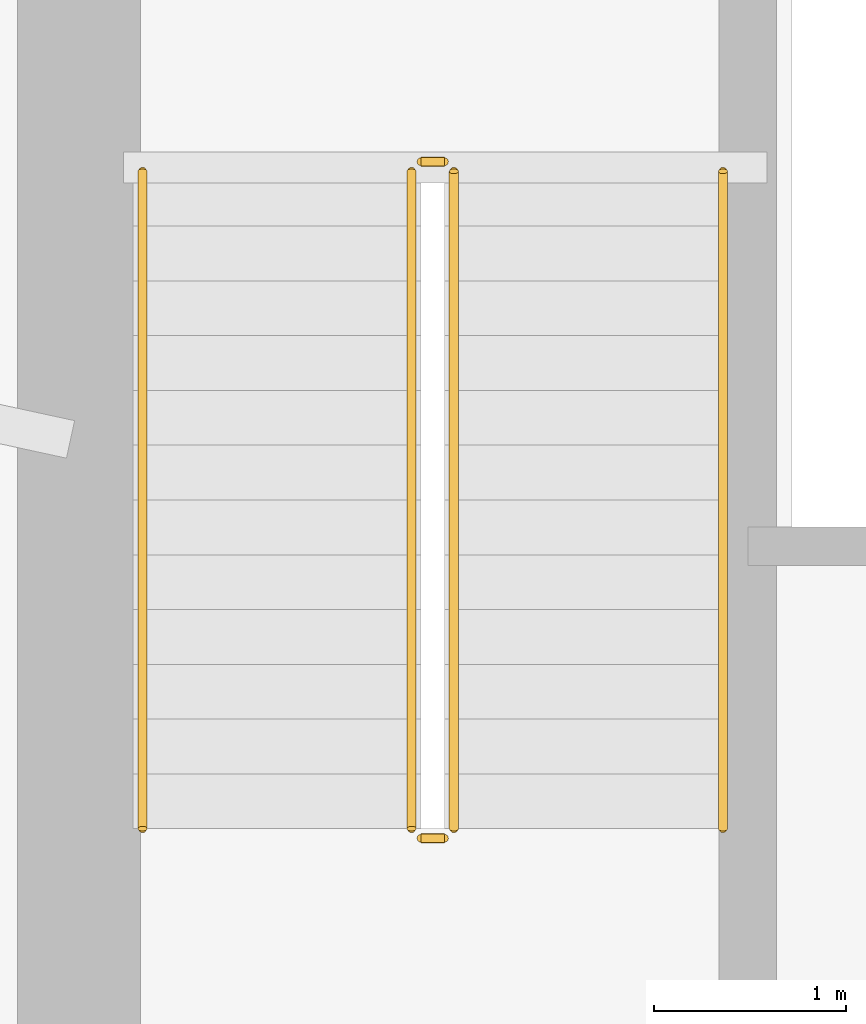
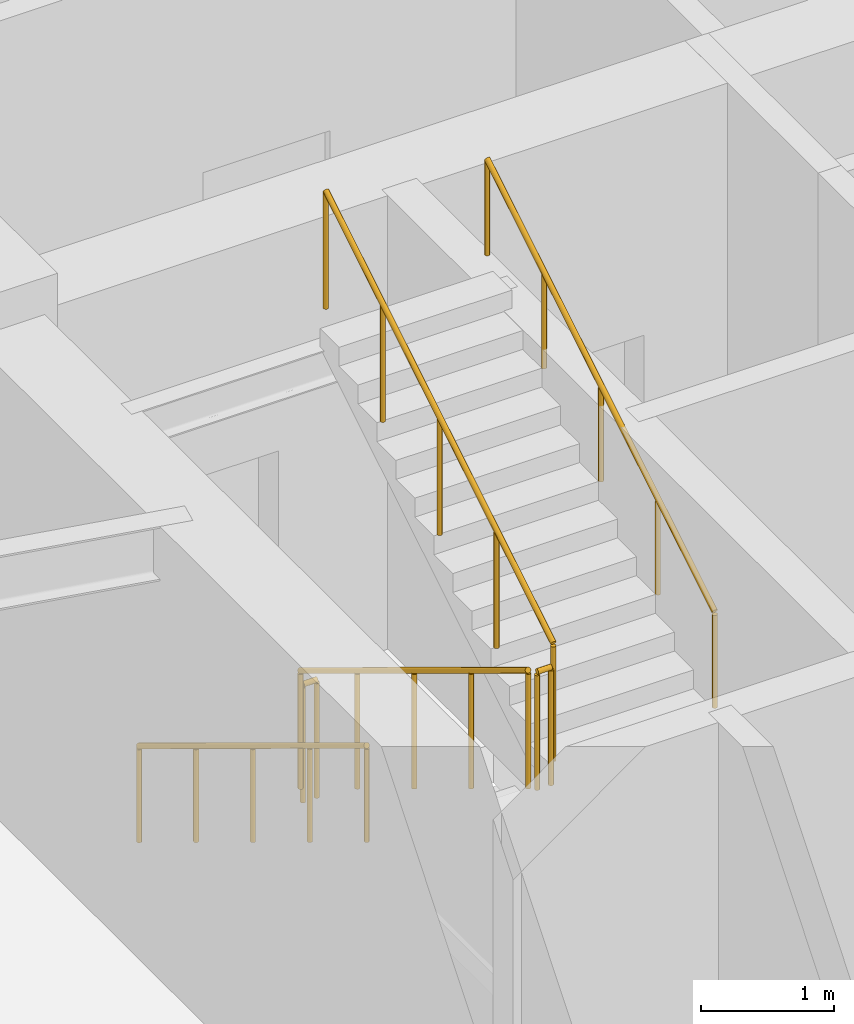
# One storey, part 13 of 14: 6 railings.
"""IFC4 building model written with IfcOpenShell, lengths in metres."""

from ifc_helpers import new_model, si_unit, direction, frame, origin, origin_2d, place, context, subcontext, project, spatial, circle, extrude, material, type_object, element, save


model = new_model("IFC4")

# Units and contexts
model_context = context("Model", 3, precision=1e-05, world=origin(), true_north=direction((0.0, 1.0)))
body_context = subcontext(model_context, "Body", "Model", "MODEL_VIEW")
ifc_project = project(units=[si_unit("LENGTHUNIT", "METRE"), si_unit("AREAUNIT", "SQUARE_METRE"), si_unit("VOLUMEUNIT", "CUBIC_METRE"), si_unit("PLANEANGLEUNIT", "RADIAN"), si_unit("MASSUNIT", "GRAM", prefix="KILO")], contexts=[model_context])

# Site, building, storey
site_placement = place(None, origin())
site = spatial("IfcSite", under=ifc_project, at=site_placement, CompositionType="ELEMENT")
building_placement = place(site_placement, origin())
building = spatial("IfcBuilding", under=site, at=building_placement, Name="Qobustan Lattice House", CompositionType="ELEMENT")
storey_placement = place(building_placement, frame((0.0, 0.0, -4.5)))
storey = spatial("IfcBuildingStorey", under=building, at=storey_placement, Name="B01", CompositionType="ELEMENT", Elevation=-4.5)

# Railings
ifc_material_1 = material(Name="Brushed stainless steel handrail", Category="steel")
railing_type_1 = type_object("IfcRailingType", Name="RAL-HR-920", PredefinedType="HANDRAIL", material=ifc_material_1)
railing_1_placement = place(storey_placement, frame((-18.199951171875, 3.5, 0.173095703125)))
element("IfcRailing", 1, at=railing_1_placement, inside=storey, type_object=railing_type_1, Name="B01 ST-W1 stair handrail 1", PredefinedType="HANDRAIL", context=body_context, shape_type="SweptSolid", body=[
    extrude(circle(Radius=0.02392578125, at=origin_2d()), frame((0.0, 0.0, 0.8759765625), z_axis=(0.0, -0.854729506542, 0.519073665916), x_axis=(1.0, 0.0, 0.0)), (0.0, 0.0, 1.0), 4.001220703125),
    extrude(circle(Radius=0.02099609375, at=origin_2d()), origin(), (0.0, 0.0, 1.0), 0.851806640625),
    extrude(circle(Radius=0.02099609375, at=origin_2d()), frame((0.0, -0.85498046875, 0.519287109375)), (0.0, 0.0, 1.0), 0.851806640625),
    extrude(circle(Radius=0.02099609375, at=origin_2d()), frame((0.0, -1.7099609375, 1.03857421875)), (0.0, 0.0, 1.0), 0.851806640625),
    extrude(circle(Radius=0.02099609375, at=origin_2d()), frame((0.0, -2.56494140625, 1.5576171875)), (0.0, 0.0, 1.0), 0.851806640625),
    extrude(circle(Radius=0.02099609375, at=origin_2d()), frame((0.0, -3.419921875, 2.076904296875)), (0.0, 0.0, 1.0), 0.851806640625),
])
railing_2_placement = place(storey_placement, frame((-15.179931640625, 0.080078125, 2.423095703125)))
element("IfcRailing", 2, at=railing_2_placement, inside=storey, type_object=railing_type_1, Name="B01 ST-W1 stair handrail 2", PredefinedType="HANDRAIL", context=body_context, shape_type="SweptSolid", body=[
    extrude(circle(Radius=0.02392578125, at=origin_2d()), frame((0.0, 0.0, 0.8759765625), z_axis=(0.0, 0.854729506542, 0.519073665916), x_axis=(-1.0, 0.0, 0.0)), (0.0, 0.0, 1.0), 4.001220703125),
    extrude(circle(Radius=0.02099609375, at=origin_2d()), origin(), (0.0, 0.0, 1.0), 0.851806640625),
    extrude(circle(Radius=0.02099609375, at=origin_2d()), frame((0.0, 0.85498046875, 0.519287109375)), (0.0, 0.0, 1.0), 0.851806640625),
    extrude(circle(Radius=0.02099609375, at=origin_2d()), frame((0.0, 1.7099609375, 1.03857421875)), (0.0, 0.0, 1.0), 0.851806640625),
    extrude(circle(Radius=0.02099609375, at=origin_2d()), frame((0.0, 2.56494140625, 1.5576171875)), (0.0, 0.0, 1.0), 0.851806640625),
    extrude(circle(Radius=0.02099609375, at=origin_2d()), frame((0.0, 3.419921875, 2.076904296875)), (0.0, 0.0, 1.0), 0.851806640625),
])
ifc_material_2 = material(Name="Painted galvanized steel guardrail", Category="steel")
railing_type_2 = type_object("IfcRailingType", Name="RAL-STG-1150", PredefinedType="GUARDRAIL", material=ifc_material_2)
railing_3_placement = place(storey_placement, frame((-16.800048828125, 3.5, 0.173095703125)))
element("IfcRailing", 3, at=railing_3_placement, inside=storey, type_object=railing_type_2, Name="B01 ST-W1 stair guard 1", PredefinedType="GUARDRAIL", context=body_context, shape_type="SweptSolid", body=[
    extrude(circle(Radius=0.02392578125, at=origin_2d()), frame((0.0, 0.0, 1.076171875), z_axis=(0.0, -0.854729506542, 0.519073665916), x_axis=(1.0, 0.0, 0.0)), (0.0, 0.0, 1.0), 4.001220703125),
    extrude(circle(Radius=0.02099609375, at=origin_2d()), origin(), (0.0, 0.0, 1.0), 1.052001953125),
    extrude(circle(Radius=0.02099609375, at=origin_2d()), frame((0.0, -0.85498046875, 0.519287109375)), (0.0, 0.0, 1.0), 1.052001953125),
    extrude(circle(Radius=0.02099609375, at=origin_2d()), frame((0.0, -1.7099609375, 1.03857421875)), (0.0, 0.0, 1.0), 1.052001953125),
    extrude(circle(Radius=0.02099609375, at=origin_2d()), frame((0.0, -2.56494140625, 1.5576171875)), (0.0, 0.0, 1.0), 1.052001953125),
    extrude(circle(Radius=0.02099609375, at=origin_2d()), frame((0.0, -3.419921875, 2.076904296875)), (0.0, 0.0, 1.0), 1.052001953125),
])
railing_4_placement = place(storey_placement, frame((-16.75, 0.030029296875, 2.25)))
element("IfcRailing", 4, at=railing_4_placement, inside=storey, type_object=railing_type_2, Name="B01 ST-W1 stair guard 2", PredefinedType="GUARDRAIL", context=body_context, shape_type="SweptSolid", body=[
    extrude(circle(Radius=0.02392578125, at=origin_2d()), frame((0.0, 0.0, 1.076171875), z_axis=(1.0, 0.0, 0.0), x_axis=(0.0, 1.0, 0.0)), (0.0, 0.0, 1.0), 0.1201171875),
    extrude(circle(Radius=0.02099609375, at=origin_2d()), origin(), (0.0, 0.0, 1.0), 1.052001953125),
    extrude(circle(Radius=0.02099609375, at=origin_2d()), frame((0.1201171875, 0.0, 0.0)), (0.0, 0.0, 1.0), 1.052001953125),
])
railing_5_placement = place(storey_placement, frame((-16.580078125, 0.080078125, 2.423095703125)))
element("IfcRailing", 5, at=railing_5_placement, inside=storey, type_object=railing_type_2, Name="B01 ST-W1 stair guard 3", PredefinedType="GUARDRAIL", context=body_context, shape_type="SweptSolid", body=[
    extrude(circle(Radius=0.02392578125, at=origin_2d()), frame((0.0, 0.0, 1.076171875), z_axis=(0.0, 0.854729506542, 0.519073665916), x_axis=(-1.0, 0.0, 0.0)), (0.0, 0.0, 1.0), 4.001220703125),
    extrude(circle(Radius=0.02099609375, at=origin_2d()), origin(), (0.0, 0.0, 1.0), 1.052001953125),
    extrude(circle(Radius=0.02099609375, at=origin_2d()), frame((0.0, 0.85498046875, 0.519287109375)), (0.0, 0.0, 1.0), 1.052001953125),
    extrude(circle(Radius=0.02099609375, at=origin_2d()), frame((0.0, 1.7099609375, 1.03857421875)), (0.0, 0.0, 1.0), 1.052001953125),
    extrude(circle(Radius=0.02099609375, at=origin_2d()), frame((0.0, 2.56494140625, 1.5576171875)), (0.0, 0.0, 1.0), 1.052001953125),
    extrude(circle(Radius=0.02099609375, at=origin_2d()), frame((0.0, 3.419921875, 2.076904296875)), (0.0, 0.0, 1.0), 1.052001953125),
])
railing_6_placement = place(storey_placement, frame((-16.75, 3.550048828125, 0.0)))
element("IfcRailing", 6, at=railing_6_placement, inside=storey, type_object=railing_type_2, Name="B01 ST-W1 stair guard 4", PredefinedType="GUARDRAIL", context=body_context, shape_type="SweptSolid", body=[
    extrude(circle(Radius=0.02392578125, at=origin_2d()), frame((0.0, 0.0, 1.076171875), z_axis=(1.0, 0.0, 0.0), x_axis=(0.0, 1.0, 0.0)), (0.0, 0.0, 1.0), 0.1201171875),
    extrude(circle(Radius=0.02099609375, at=origin_2d()), origin(), (0.0, 0.0, 1.0), 1.052001953125),
    extrude(circle(Radius=0.02099609375, at=origin_2d()), frame((0.1201171875, 0.0, 0.0)), (0.0, 0.0, 1.0), 1.052001953125),
])

save(model, "model.ifc")
